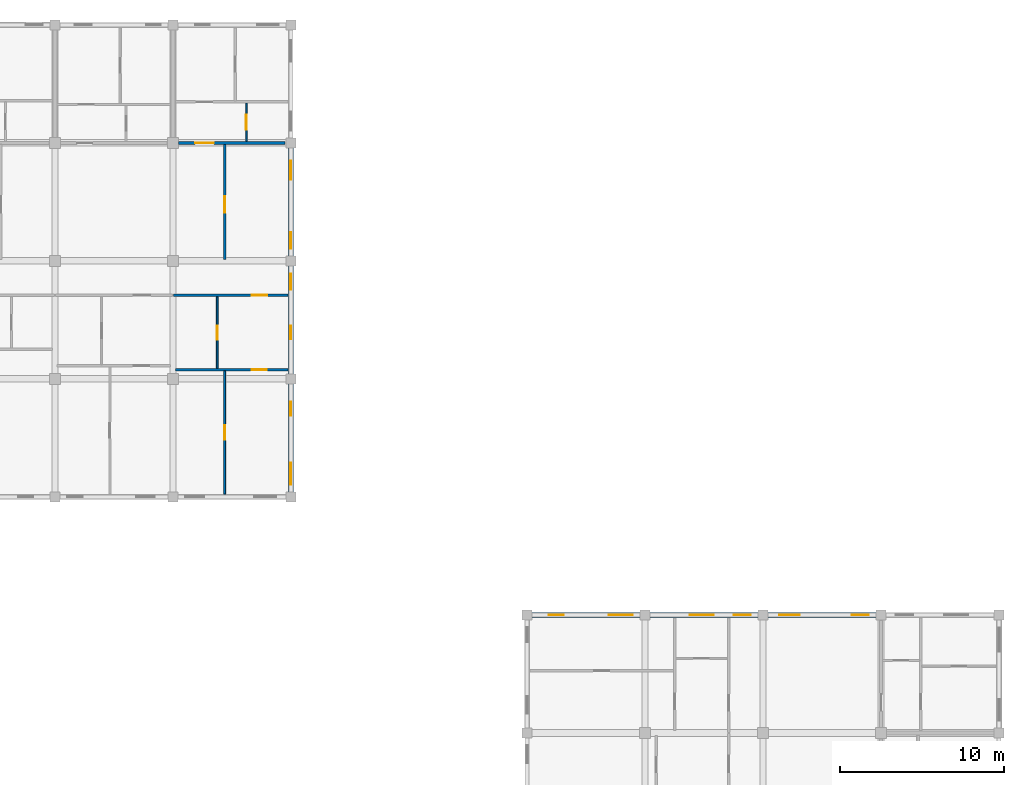
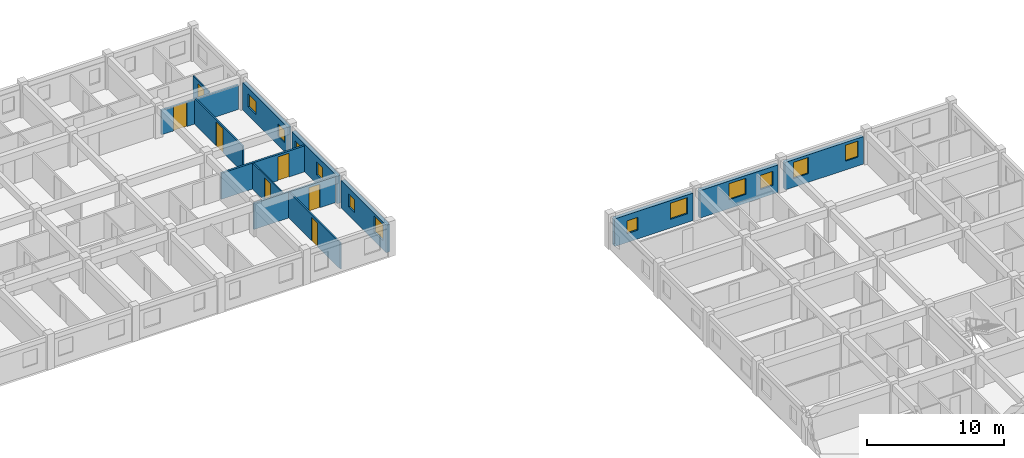
# One storey, part 40 of 50: 13 walls, 12 windows, 7 doors, 19 openings.
"""IFC4 building model written with IfcOpenShell, lengths in metres."""

from ifc_helpers import new_model, si_unit, direction, frame, frame_2d, origin, place, context, subcontext, project, spatial, rectangle, extrude, material, layer, layer_set, type_object, element, fill, save


model = new_model("IFC4")

# Units and contexts
model_context = context("Model", 3, precision=1e-05, world=origin(), true_north=direction((0.0, 1.0)))
body_context = subcontext(model_context, "Body", "Model", "MODEL_VIEW")
ifc_project = project(units=[si_unit("LENGTHUNIT", "METRE"), si_unit("AREAUNIT", "SQUARE_METRE"), si_unit("VOLUMEUNIT", "CUBIC_METRE"), si_unit("PLANEANGLEUNIT", "RADIAN"), si_unit("MASSUNIT", "GRAM", prefix="KILO"), si_unit("THERMODYNAMICTEMPERATUREUNIT", "KELVIN"), si_unit("POWERUNIT", "WATT")], contexts=[model_context])

# Site, building, storey
site_placement = place(None, origin())
site = spatial("IfcSite", under=ifc_project, at=site_placement, CompositionType="ELEMENT")
building_placement = place(site_placement, origin())
building = spatial("IfcBuilding", under=site, at=building_placement, Name="Tavuni Mirador Residences", CompositionType="ELEMENT")
storey_placement = place(building_placement, frame((0.0, 0.0, 4.5)))
storey = spatial("IfcBuildingStorey", under=building, at=storey_placement, Name="L01", CompositionType="ELEMENT", Elevation=4.5)

# Wall, opening, door
ifc_material_1 = material(Name="Precast concrete C40/50", Category="concrete")
ifc_layer_1 = layer(ifc_material_1, 0.1650390625, Name="Precast concrete C40/50", Category="concrete")
ifc_layer_set_1 = layer_set([ifc_layer_1], Name="Precast concrete C40/50")
wall_type_1 = type_object("IfcWallType", Name="WT-CORR165", PredefinedType="PARTITIONING", material=ifc_layer_set_1)
wall_1_placement = place(storey_placement, frame((68.419921875, 156.300048828125, 0.0), z_axis=(0.0, 0.0, 1.0), x_axis=(1.0, 0.0, 0.0)))
wall_1 = element("IfcWall", 1, at=wall_1_placement, inside=storey, type_object=wall_type_1, Name="CORW-BLK-C-L01-0-08", PredefinedType="PARTITIONING", context=body_context, shape_type="SweptSolid", body=[
    extrude(rectangle(XDim=7.005126953125, YDim=0.1650390625, at=frame_2d((3.50244140625, 0.0))), origin(), (0.0, 0.0, 1.0), 2.320068359375),
])
opening_1_placement = place(wall_1_placement, frame((4.780029296875, 0.0, 0.0)))
opening_1 = element("IfcOpeningElement", 2, at=opening_1_placement, cuts=wall_1, Name="Opening D-19", PredefinedType="OPENING", context=body_context, shape_type="SweptSolid", body=[
    extrude(rectangle(XDim=0.93994140625, YDim=2.1201171875, at=frame_2d((0.469970703125, 1.06005859375))), frame((0.0, 0.092529296875, 0.0), z_axis=(0.0, -1.0, 0.0), x_axis=(1.0, 0.0, 0.0)), (0.0, 0.0, 1.0), 0.18505859375),
])
ifc_material_2 = material(Name="Solid core iroko timber", Category="wood")
door_type_1 = type_object("IfcDoorType", Name="DT-FD60-940", OperationType="NOTDEFINED", PredefinedType="DOOR", material=ifc_material_2)
door_1_placement = place(opening_1_placement, origin())
door_1 = element("IfcDoor", 3, at=door_1_placement, inside=storey, type_object=door_type_1, Name="DR-2635", OperationType="SINGLE_SWING_RIGHT", OverallHeight=2.1201171875, OverallWidth=0.93994140625, PredefinedType="DOOR", context=body_context, shape_type="SweptSolid", body=[
    extrude(rectangle(XDim=0.93994140625, YDim=2.1201171875, at=frame_2d((0.469970703125, 1.06005859375))), frame((0.0, 0.02490234375, 0.0), z_axis=(0.0, -1.0, 0.0), x_axis=(1.0, 0.0, 0.0)), (0.0, 0.0, 1.0), 0.050048828125),
])
fill(opening_1, door_1)

wall_2_placement = place(storey_placement, frame((68.75, 165.60009765625, 0.0), z_axis=(0.0, 0.0, 1.0), x_axis=(1.0, 0.0, 0.0)))
wall_2 = element("IfcWall", 4, at=wall_2_placement, inside=storey, type_object=wall_type_1, Name="CORW-BLK-C-L01-1-08", PredefinedType="PARTITIONING", context=body_context, shape_type="SweptSolid", body=[
    extrude(rectangle(XDim=6.5, YDim=0.1650390625, at=frame_2d((3.25, 0.0))), origin(), (0.0, 0.0, 1.0), 2.18505859375),
])
opening_2_placement = place(wall_2_placement, frame((1.0, 0.0, 0.0)))
opening_2 = element("IfcOpeningElement", 5, at=opening_2_placement, cuts=wall_2, Name="Opening D-20", PredefinedType="OPENING", context=body_context, shape_type="SweptSolid", body=[
    extrude(rectangle(XDim=1.139892578125, YDim=2.179931640625, at=frame_2d((0.56982421875, 1.08984375))), frame((0.0, 0.092529296875, 0.0), z_axis=(0.0, -1.0, 0.0), x_axis=(1.0, 0.0, 0.0)), (0.0, 0.0, 1.0), 0.18505859375),
])
door_type_2 = type_object("IfcDoorType", Name="DT-FD60-1140", OperationType="NOTDEFINED", PredefinedType="DOOR", material=ifc_material_2)
door_2_placement = place(opening_2_placement, origin())
door_2 = element("IfcDoor", 6, at=door_2_placement, inside=storey, type_object=door_type_2, Name="DR-2642", OperationType="SINGLE_SWING_LEFT", OverallHeight=2.179931640625, OverallWidth=1.139892578125, PredefinedType="DOOR", context=body_context, shape_type="SweptSolid", body=[
    extrude(rectangle(XDim=1.139892578125, YDim=2.179931640625, at=frame_2d((0.56982421875, 1.08984375))), frame((0.0, 0.02490234375, 0.0), z_axis=(0.0, -1.0, 0.0), x_axis=(1.0, 0.0, 0.0)), (0.0, 0.0, 1.0), 0.050048828125),
])
fill(opening_2, door_2)

# Wall, openings, windows
ifc_material_3 = material(Name="Sgraffito lime-rendered precast concrete C40/50", Category="concrete")
ifc_layer_2 = layer(ifc_material_3, 0.2900390625, Name="Sgraffito lime-rendered precast concrete C40/50", Category="concrete")
ifc_layer_set_2 = layer_set([ifc_layer_2], Name="Sgraffito lime-rendered precast concrete C40/50")
wall_type_2 = type_object("IfcWallType", Name="WT-EXT-PC290", PredefinedType="SOLIDWALL", material=ifc_layer_set_2)
wall_3_placement = place(storey_placement, frame((75.60009765625, 158.699951171875, 0.0), z_axis=(0.0, 0.0, 1.0), x_axis=(0.0, 1.0, 0.0)))
wall_3 = element("IfcWall", 7, at=wall_3_placement, inside=storey, type_object=wall_type_2, Name="EW-BLK-C-L01-E02", PredefinedType="SOLIDWALL", context=body_context, shape_type="SweptSolid", body=[
    extrude(rectangle(XDim=6.60009765625, YDim=0.2900390625, at=frame_2d((3.300048828125, 0.0))), origin(), (0.0, 0.0, 1.0), 2.455078125),
])
opening_3_placement = place(wall_3_placement, frame((0.449951171875, 0.0, 0.780029296875)))
opening_3 = element("IfcOpeningElement", 8, at=opening_3_placement, cuts=wall_3, Name="Opening WN-03", PredefinedType="OPENING", context=body_context, shape_type="SweptSolid", body=[
    extrude(rectangle(XDim=1.0, YDim=1.14990234375, at=frame_2d((0.5, 0.574951171875))), frame((0.0, 0.155029296875, 0.0), z_axis=(0.0, -1.0, 0.0), x_axis=(1.0, 0.0, 0.0)), (0.0, 0.0, 1.0), 0.31005859375),
])
opening_4_placement = place(wall_3_placement, frame((4.64990234375, 0.0, 0.780029296875)))
opening_4 = element("IfcOpeningElement", 9, at=opening_4_placement, cuts=wall_3, Name="Opening WN-05", PredefinedType="OPENING", context=body_context, shape_type="SweptSolid", body=[
    extrude(rectangle(XDim=1.159912109375, YDim=1.14990234375, at=frame_2d((0.580078125, 0.574951171875))), frame((0.0, 0.155029296875, 0.0), z_axis=(0.0, -1.0, 0.0), x_axis=(1.0, 0.0, 0.0)), (0.0, 0.0, 1.0), 0.31005859375),
])
ifc_material_4 = material(Name="Laminated solar-control glass", Category="glass")
window_type_1 = type_object("IfcWindowType", Name="WNT-03", PartitioningType="SINGLE_PANEL", PredefinedType="WINDOW", material=ifc_material_4)
window_1_placement = place(opening_3_placement, origin())
window_1 = element("IfcWindow", 10, at=window_1_placement, inside=storey, type_object=window_type_1, Name="WIN-0871", OverallHeight=1.14990234375, OverallWidth=1.0, PartitioningType="SINGLE_PANEL", PredefinedType="WINDOW", context=body_context, shape_type="SweptSolid", body=[
    extrude(rectangle(XDim=1.0, YDim=1.14990234375, at=frame_2d((0.5, 0.574951171875))), frame((0.0, 0.030029296875, 0.0), z_axis=(0.0, -1.0, 0.0), x_axis=(1.0, 0.0, 0.0)), (0.0, 0.0, 1.0), 0.06005859375),
])
fill(opening_3, window_1)
window_type_2 = type_object("IfcWindowType", Name="WNT-05", PartitioningType="SINGLE_PANEL", PredefinedType="WINDOW", material=ifc_material_4)
window_2_placement = place(opening_4_placement, origin())
window_2 = element("IfcWindow", 11, at=window_2_placement, inside=storey, type_object=window_type_2, Name="WIN-0872", OverallHeight=1.14990234375, OverallWidth=1.159912109375, PartitioningType="SINGLE_PANEL", PredefinedType="WINDOW", context=body_context, shape_type="SweptSolid", body=[
    extrude(rectangle(XDim=1.159912109375, YDim=1.14990234375, at=frame_2d((0.580078125, 0.574951171875))), frame((0.0, 0.030029296875, 0.0), z_axis=(0.0, -1.0, 0.0), x_axis=(1.0, 0.0, 0.0)), (0.0, 0.0, 1.0), 0.06005859375),
])
fill(opening_4, window_2)

wall_4_placement = place(storey_placement, frame((111.300048828125, 136.800048828125, 0.0), z_axis=(0.0, 0.0, 1.0), x_axis=(-1.0, 0.0, 0.0)))
wall_4 = element("IfcWall", 12, at=wall_4_placement, inside=storey, type_object=wall_type_2, Name="EW-BLK-D-L01-N02", PredefinedType="SOLIDWALL", context=body_context, shape_type="SweptSolid", body=[
    extrude(rectangle(XDim=6.60009765625, YDim=0.2900390625, at=frame_2d((3.300048828125, 0.0))), origin(), (0.0, 0.0, 1.0), 2.4599609375),
])
opening_5_placement = place(wall_4_placement, frame((0.449951171875, 0.0, 0.780029296875)))
opening_5 = element("IfcOpeningElement", 13, at=opening_5_placement, cuts=wall_4, Name="Opening WN-26", PredefinedType="OPENING", context=body_context, shape_type="SweptSolid", body=[
    extrude(rectangle(XDim=1.050048828125, YDim=1.43994140625, at=frame_2d((0.52490234375, 0.719970703125))), frame((0.0, 0.155029296875, 0.0), z_axis=(0.0, -1.0, 0.0), x_axis=(1.0, 0.0, 0.0)), (0.0, 0.0, 1.0), 0.31005859375),
])
opening_6_placement = place(wall_4_placement, frame((4.64990234375, 0.0, 0.780029296875)))
opening_6 = element("IfcOpeningElement", 14, at=opening_6_placement, cuts=wall_4, Name="Opening WN-28", PredefinedType="OPENING", context=body_context, shape_type="SweptSolid", body=[
    extrude(rectangle(XDim=1.25, YDim=1.43994140625, at=frame_2d((0.625, 0.719970703125))), frame((0.0, 0.155029296875, 0.0), z_axis=(0.0, -1.0, 0.0), x_axis=(1.0, 0.0, 0.0)), (0.0, 0.0, 1.0), 0.31005859375),
])
window_type_3 = type_object("IfcWindowType", Name="WNT-26", PartitioningType="SINGLE_PANEL", PredefinedType="WINDOW", material=ifc_material_4)
window_3_placement = place(opening_5_placement, origin())
window_3 = element("IfcWindow", 15, at=window_3_placement, inside=storey, type_object=window_type_3, Name="WIN-1464", OverallHeight=1.43994140625, OverallWidth=1.050048828125, PartitioningType="SINGLE_PANEL", PredefinedType="WINDOW", context=body_context, shape_type="SweptSolid", body=[
    extrude(rectangle(XDim=1.050048828125, YDim=1.43994140625, at=frame_2d((0.52490234375, 0.719970703125))), frame((0.0, 0.030029296875, 0.0), z_axis=(0.0, -1.0, 0.0), x_axis=(1.0, 0.0, 0.0)), (0.0, 0.0, 1.0), 0.06005859375),
])
fill(opening_5, window_3)
window_type_4 = type_object("IfcWindowType", Name="WNT-28", PartitioningType="SINGLE_PANEL", PredefinedType="WINDOW", material=ifc_material_4)
window_4_placement = place(opening_6_placement, origin())
window_4 = element("IfcWindow", 16, at=window_4_placement, inside=storey, type_object=window_type_4, Name="WIN-1465", OverallHeight=1.43994140625, OverallWidth=1.25, PartitioningType="SINGLE_PANEL", PredefinedType="WINDOW", context=body_context, shape_type="SweptSolid", body=[
    extrude(rectangle(XDim=1.25, YDim=1.43994140625, at=frame_2d((0.625, 0.719970703125))), frame((0.0, 0.030029296875, 0.0), z_axis=(0.0, -1.0, 0.0), x_axis=(1.0, 0.0, 0.0)), (0.0, 0.0, 1.0), 0.06005859375),
])
fill(opening_6, window_4)

ifc_layer_3 = layer(ifc_material_3, 0.304931640625, Name="Sgraffito lime-rendered precast concrete C40/50", Category="concrete")
ifc_layer_set_3 = layer_set([ifc_layer_3], Name="Sgraffito lime-rendered precast concrete C40/50")
wall_type_3 = type_object("IfcWallType", Name="WT-EXT-PC305", PredefinedType="SOLIDWALL", material=ifc_layer_set_3)
wall_5_placement = place(storey_placement, frame((75.60009765625, 151.5, 0.0), z_axis=(0.0, 0.0, 1.0), x_axis=(0.0, 1.0, 0.0)))
wall_5 = element("IfcWall", 17, at=wall_5_placement, inside=storey, type_object=wall_type_3, Name="EW-BLK-C-L01-E01", PredefinedType="SOLIDWALL", context=body_context, shape_type="SweptSolid", body=[
    extrude(rectangle(XDim=6.60009765625, YDim=0.304931640625, at=frame_2d((3.300048828125, 0.0))), origin(), (0.0, 0.0, 1.0), 2.455078125),
])
opening_7_placement = place(wall_5_placement, frame((2.110107421875, 0.0, 0.780029296875)))
opening_7 = element("IfcOpeningElement", 18, at=opening_7_placement, cuts=wall_5, Name="Opening WN-01", PredefinedType="OPENING", context=body_context, shape_type="SweptSolid", body=[
    extrude(rectangle(XDim=0.85009765625, YDim=1.14990234375, at=frame_2d((0.425048828125, 0.574951171875))), frame((0.0, 0.16259765625, 0.0), z_axis=(0.0, -1.0, 0.0), x_axis=(1.0, 0.0, 0.0)), (0.0, 0.0, 1.0), 0.324951171875),
])
opening_8_placement = place(wall_5_placement, frame((5.1298828125, 0.0, 0.780029296875)))
opening_8 = element("IfcOpeningElement", 19, at=opening_8_placement, cuts=wall_5, Name="Opening WN-03", PredefinedType="OPENING", context=body_context, shape_type="SweptSolid", body=[
    extrude(rectangle(XDim=1.0, YDim=1.14990234375, at=frame_2d((0.5, 0.574951171875))), frame((0.0, 0.16259765625, 0.0), z_axis=(0.0, -1.0, 0.0), x_axis=(1.0, 0.0, 0.0)), (0.0, 0.0, 1.0), 0.324951171875),
])
window_type_5 = type_object("IfcWindowType", Name="WNT-01", PartitioningType="SINGLE_PANEL", PredefinedType="WINDOW", material=ifc_material_4)
window_5_placement = place(opening_7_placement, origin())
window_5 = element("IfcWindow", 20, at=window_5_placement, inside=storey, type_object=window_type_5, Name="WIN-0869", OverallHeight=1.14990234375, OverallWidth=0.85009765625, PartitioningType="SINGLE_PANEL", PredefinedType="WINDOW", context=body_context, shape_type="SweptSolid", body=[
    extrude(rectangle(XDim=0.85009765625, YDim=1.14990234375, at=frame_2d((0.425048828125, 0.574951171875))), frame((0.0, 0.030029296875, 0.0), z_axis=(0.0, -1.0, 0.0), x_axis=(1.0, 0.0, 0.0)), (0.0, 0.0, 1.0), 0.06005859375),
])
fill(opening_7, window_5)
window_6_placement = place(opening_8_placement, origin())
window_6 = element("IfcWindow", 21, at=window_6_placement, inside=storey, type_object=window_type_1, Name="WIN-0870", OverallHeight=1.14990234375, OverallWidth=1.0, PartitioningType="SINGLE_PANEL", PredefinedType="WINDOW", context=body_context, shape_type="SweptSolid", body=[
    extrude(rectangle(XDim=1.0, YDim=1.14990234375, at=frame_2d((0.5, 0.574951171875))), frame((0.0, 0.030029296875, 0.0), z_axis=(0.0, -1.0, 0.0), x_axis=(1.0, 0.0, 0.0)), (0.0, 0.0, 1.0), 0.06005859375),
])
fill(opening_8, window_6)

wall_6_placement = place(storey_placement, frame((104.10009765625, 136.800048828125, 0.0), z_axis=(0.0, 0.0, 1.0), x_axis=(-1.0, 0.0, 0.0)))
wall_6 = element("IfcWall", 22, at=wall_6_placement, inside=storey, type_object=wall_type_3, Name="EW-BLK-D-L01-N01", PredefinedType="SOLIDWALL", context=body_context, shape_type="SweptSolid", body=[
    extrude(rectangle(XDim=6.60009765625, YDim=0.304931640625, at=frame_2d((3.300048828125, 0.0))), origin(), (0.0, 0.0, 1.0), 2.4599609375),
])
opening_9_placement = place(wall_6_placement, frame((0.449951171875, 0.0, 0.780029296875)))
opening_9 = element("IfcOpeningElement", 23, at=opening_9_placement, cuts=wall_6, Name="Opening WN-11", PredefinedType="OPENING", context=body_context, shape_type="SweptSolid", body=[
    extrude(rectangle(XDim=1.0400390625, YDim=1.260009765625, at=frame_2d((0.52001953125, 0.6298828125))), frame((0.0, 0.16259765625, 0.0), z_axis=(0.0, -1.0, 0.0), x_axis=(1.0, 0.0, 0.0)), (0.0, 0.0, 1.0), 0.324951171875),
])
opening_10_placement = place(wall_6_placement, frame((2.715087890625, 0.0, 0.780029296875)))
opening_10 = element("IfcOpeningElement", 24, at=opening_10_placement, cuts=wall_6, Name="Opening WN-30", PredefinedType="OPENING", context=body_context, shape_type="SweptSolid", body=[
    extrude(rectangle(XDim=1.449951171875, YDim=1.43994140625, at=frame_2d((0.72509765625, 0.719970703125))), frame((0.0, 0.16259765625, 0.0), z_axis=(0.0, -1.0, 0.0), x_axis=(1.0, 0.0, 0.0)), (0.0, 0.0, 1.0), 0.324951171875),
])
window_type_6 = type_object("IfcWindowType", Name="WNT-11", PartitioningType="SINGLE_PANEL", PredefinedType="WINDOW", material=ifc_material_4)
window_7_placement = place(opening_9_placement, origin())
window_7 = element("IfcWindow", 25, at=window_7_placement, inside=storey, type_object=window_type_6, Name="WIN-1466", OverallHeight=1.260009765625, OverallWidth=1.0400390625, PartitioningType="SINGLE_PANEL", PredefinedType="WINDOW", context=body_context, shape_type="SweptSolid", body=[
    extrude(rectangle(XDim=1.0400390625, YDim=1.260009765625, at=frame_2d((0.52001953125, 0.6298828125))), frame((0.0, 0.030029296875, 0.0), z_axis=(0.0, -1.0, 0.0), x_axis=(1.0, 0.0, 0.0)), (0.0, 0.0, 1.0), 0.06005859375),
])
fill(opening_9, window_7)
window_type_7 = type_object("IfcWindowType", Name="WNT-30", PartitioningType="SINGLE_PANEL", PredefinedType="WINDOW", material=ifc_material_4)
window_8_placement = place(opening_10_placement, origin())
window_8 = element("IfcWindow", 26, at=window_8_placement, inside=storey, type_object=window_type_7, Name="WIN-1467", OverallHeight=1.43994140625, OverallWidth=1.449951171875, PartitioningType="SINGLE_PANEL", PredefinedType="WINDOW", context=body_context, shape_type="SweptSolid", body=[
    extrude(rectangle(XDim=1.449951171875, YDim=1.43994140625, at=frame_2d((0.72509765625, 0.719970703125))), frame((0.0, 0.030029296875, 0.0), z_axis=(0.0, -1.0, 0.0), x_axis=(1.0, 0.0, 0.0)), (0.0, 0.0, 1.0), 0.06005859375),
])
fill(opening_10, window_8)

ifc_layer_4 = layer(ifc_material_3, 0.31494140625, Name="Sgraffito lime-rendered precast concrete C40/50", Category="concrete")
ifc_layer_set_4 = layer_set([ifc_layer_4], Name="Sgraffito lime-rendered precast concrete C40/50")
wall_type_4 = type_object("IfcWallType", Name="WT-EXT-PC315", PredefinedType="SOLIDWALL", material=ifc_layer_set_4)
wall_7_placement = place(storey_placement, frame((75.60009765625, 144.300048828125, 0.0), z_axis=(0.0, 0.0, 1.0), x_axis=(0.0, 1.0, 0.0)))
wall_7 = element("IfcWall", 27, at=wall_7_placement, inside=storey, type_object=wall_type_4, Name="EW-BLK-C-L01-E00", PredefinedType="SOLIDWALL", context=body_context, shape_type="SweptSolid", body=[
    extrude(rectangle(XDim=6.599853515625, YDim=0.31494140625, at=frame_2d((3.2998046875, 0.0))), origin(), (0.0, 0.0, 1.0), 2.455078125),
])
opening_11_placement = place(wall_7_placement, frame((0.449951171875, 0.0, 0.780029296875)))
opening_11 = element("IfcOpeningElement", 28, at=opening_11_placement, cuts=wall_7, Name="Opening WN-29", PredefinedType="OPENING", context=body_context, shape_type="SweptSolid", body=[
    extrude(rectangle(XDim=1.35009765625, YDim=1.43994140625, at=frame_2d((0.675048828125, 0.719970703125))), frame((0.0, 0.16748046875, 0.0), z_axis=(0.0, -1.0, 0.0), x_axis=(1.0, 0.0, 0.0)), (0.0, 0.0, 1.0), 0.3349609375),
])
opening_12_placement = place(wall_7_placement, frame((4.64990234375, 0.0, 0.780029296875)))
opening_12 = element("IfcOpeningElement", 29, at=opening_12_placement, cuts=wall_7, Name="Opening WN-01", PredefinedType="OPENING", context=body_context, shape_type="SweptSolid", body=[
    extrude(rectangle(XDim=0.85009765625, YDim=1.14990234375, at=frame_2d((0.425048828125, 0.574951171875))), frame((0.0, 0.16748046875, 0.0), z_axis=(0.0, -1.0, 0.0), x_axis=(1.0, 0.0, 0.0)), (0.0, 0.0, 1.0), 0.3349609375),
])
window_9_placement = place(opening_12_placement, origin())
window_9 = element("IfcWindow", 30, at=window_9_placement, inside=storey, type_object=window_type_5, Name="WIN-0868", OverallHeight=1.14990234375, OverallWidth=0.85009765625, PartitioningType="SINGLE_PANEL", PredefinedType="WINDOW", context=body_context, shape_type="SweptSolid", body=[
    extrude(rectangle(XDim=0.85009765625, YDim=1.14990234375, at=frame_2d((0.425048828125, 0.574951171875))), frame((0.0, 0.030029296875, 0.0), z_axis=(0.0, -1.0, 0.0), x_axis=(1.0, 0.0, 0.0)), (0.0, 0.0, 1.0), 0.06005859375),
])
fill(opening_12, window_9)
window_type_8 = type_object("IfcWindowType", Name="WNT-29", PartitioningType="SINGLE_PANEL", PredefinedType="WINDOW", material=ifc_material_4)
window_10_placement = place(opening_11_placement, origin())
window_10 = element("IfcWindow", 31, at=window_10_placement, inside=storey, type_object=window_type_8, Name="WIN-0867", OverallHeight=1.43994140625, OverallWidth=1.35009765625, PartitioningType="SINGLE_PANEL", PredefinedType="WINDOW", context=body_context, shape_type="SweptSolid", body=[
    extrude(rectangle(XDim=1.35009765625, YDim=1.43994140625, at=frame_2d((0.675048828125, 0.719970703125))), frame((0.0, 0.030029296875, 0.0), z_axis=(0.0, -1.0, 0.0), x_axis=(1.0, 0.0, 0.0)), (0.0, 0.0, 1.0), 0.06005859375),
])
fill(opening_11, window_10)

wall_8_placement = place(storey_placement, frame((96.89990234375, 136.800048828125, 0.0), z_axis=(0.0, 0.0, 1.0), x_axis=(-1.0, 0.0, 0.0)))
wall_8 = element("IfcWall", 32, at=wall_8_placement, inside=storey, type_object=wall_type_4, Name="EW-BLK-D-L01-N00", PredefinedType="SOLIDWALL", context=body_context, shape_type="SweptSolid", body=[
    extrude(rectangle(XDim=6.599853515625, YDim=0.31494140625, at=frame_2d((3.2998046875, 0.0))), origin(), (0.0, 0.0, 1.0), 2.4599609375),
])
opening_13_placement = place(wall_8_placement, frame((0.449951171875, 0.0, 0.780029296875)))
opening_13 = element("IfcOpeningElement", 33, at=opening_13_placement, cuts=wall_8, Name="Opening WN-30", PredefinedType="OPENING", context=body_context, shape_type="SweptSolid", body=[
    extrude(rectangle(XDim=1.449951171875, YDim=1.43994140625, at=frame_2d((0.72509765625, 0.719970703125))), frame((0.0, 0.16748046875, 0.0), z_axis=(0.0, -1.0, 0.0), x_axis=(1.0, 0.0, 0.0)), (0.0, 0.0, 1.0), 0.3349609375),
])
opening_14_placement = place(wall_8_placement, frame((4.64990234375, 0.0, 0.780029296875)))
opening_14 = element("IfcOpeningElement", 34, at=opening_14_placement, cuts=wall_8, Name="Opening WN-02", PredefinedType="OPENING", context=body_context, shape_type="SweptSolid", body=[
    extrude(rectangle(XDim=0.919921875, YDim=1.14990234375, at=frame_2d((0.4599609375, 0.574951171875))), frame((0.0, 0.16748046875, 0.0), z_axis=(0.0, -1.0, 0.0), x_axis=(1.0, 0.0, 0.0)), (0.0, 0.0, 1.0), 0.3349609375),
])
window_type_9 = type_object("IfcWindowType", Name="WNT-02", PartitioningType="SINGLE_PANEL", PredefinedType="WINDOW", material=ifc_material_4)
window_11_placement = place(opening_14_placement, origin())
window_11 = element("IfcWindow", 35, at=window_11_placement, inside=storey, type_object=window_type_9, Name="WIN-1469", OverallHeight=1.14990234375, OverallWidth=0.919921875, PartitioningType="SINGLE_PANEL", PredefinedType="WINDOW", context=body_context, shape_type="SweptSolid", body=[
    extrude(rectangle(XDim=0.919921875, YDim=1.14990234375, at=frame_2d((0.4599609375, 0.574951171875))), frame((0.0, 0.030029296875, 0.0), z_axis=(0.0, -1.0, 0.0), x_axis=(1.0, 0.0, 0.0)), (0.0, 0.0, 1.0), 0.06005859375),
])
fill(opening_14, window_11)
window_12_placement = place(opening_13_placement, origin())
window_12 = element("IfcWindow", 36, at=window_12_placement, inside=storey, type_object=window_type_7, Name="WIN-1468", OverallHeight=1.43994140625, OverallWidth=1.449951171875, PartitioningType="SINGLE_PANEL", PredefinedType="WINDOW", context=body_context, shape_type="SweptSolid", body=[
    extrude(rectangle(XDim=1.449951171875, YDim=1.43994140625, at=frame_2d((0.72509765625, 0.719970703125))), frame((0.0, 0.030029296875, 0.0), z_axis=(0.0, -1.0, 0.0), x_axis=(1.0, 0.0, 0.0)), (0.0, 0.0, 1.0), 0.06005859375),
])
fill(opening_13, window_12)

# Wall, opening, door
ifc_material_5 = material(Name="Acoustic gypsum and concrete block partition", Category="concrete")
ifc_layer_5 = layer(ifc_material_5, 0.094970703125, Name="Acoustic gypsum and concrete block partition", Category="concrete")
ifc_layer_set_5 = layer_set([ifc_layer_5], Name="Acoustic gypsum and concrete block partition")
wall_type_5 = type_object("IfcWallType", Name="WT-PART095", PredefinedType="PARTITIONING", material=ifc_layer_set_5)
wall_9_placement = place(storey_placement, frame((72.8798828125, 165.68994140625, 0.0), z_axis=(0.0, 0.0, 1.0), x_axis=(0.0, 1.0, 0.0)))
wall_9 = element("IfcWall", 37, at=wall_9_placement, inside=storey, type_object=wall_type_5, Name="PW-BLK-C-L01-N08-IN1", PredefinedType="PARTITIONING", context=body_context, shape_type="SweptSolid", body=[
    extrude(rectangle(XDim=2.340087890625, YDim=0.094970703125, at=frame_2d((1.169921875, 0.0))), origin(), (0.0, 0.0, 1.0), 2.320068359375),
])
opening_15_placement = place(wall_9_placement, frame((0.719970703125, 0.0, 0.0)))
opening_15 = element("IfcOpeningElement", 38, at=opening_15_placement, cuts=wall_9, Name="Opening D-09", PredefinedType="OPENING", context=body_context, shape_type="SweptSolid", body=[
    extrude(rectangle(XDim=0.89990234375, YDim=2.050048828125, at=frame_2d((0.449951171875, 1.02490234375))), frame((0.0, 0.0576171875, 0.0), z_axis=(0.0, -1.0, 0.0), x_axis=(1.0, 0.0, 0.0)), (0.0, 0.0, 1.0), 0.114990234375),
])
door_type_3 = type_object("IfcDoorType", Name="DT-WC900", OperationType="NOTDEFINED", PredefinedType="DOOR", material=ifc_material_2)
door_3_placement = place(opening_15_placement, origin())
door_3 = element("IfcDoor", 39, at=door_3_placement, inside=storey, type_object=door_type_3, Name="DR-3737", OperationType="SINGLE_SWING_LEFT", OverallHeight=2.050048828125, OverallWidth=0.89990234375, PredefinedType="DOOR", context=body_context, shape_type="SweptSolid", body=[
    extrude(rectangle(XDim=0.89990234375, YDim=2.050048828125, at=frame_2d((0.449951171875, 1.02490234375))), frame((0.0, 0.02490234375, 0.0), z_axis=(0.0, -1.0, 0.0), x_axis=(1.0, 0.0, 0.0)), (0.0, 0.0, 1.0), 0.050048828125),
])
fill(opening_15, door_3)

ifc_layer_6 = layer(ifc_material_5, 0.10498046875, Name="Acoustic gypsum and concrete block partition", Category="concrete")
ifc_layer_set_6 = layer_set([ifc_layer_6], Name="Acoustic gypsum and concrete block partition")
wall_type_6 = type_object("IfcWallType", Name="WT-PART105", PredefinedType="PARTITIONING", material=ifc_layer_set_6)
wall_10_placement = place(storey_placement, frame((71.10009765625, 151.840087890625, 0.0), z_axis=(0.0, 0.0, 1.0), x_axis=(0.0, 1.0, 0.0)))
wall_10 = element("IfcWall", 40, at=wall_10_placement, inside=storey, type_object=wall_type_6, Name="PW-BLK-C-L01-S08-IN1", PredefinedType="PARTITIONING", context=body_context, shape_type="SweptSolid", body=[
    extrude(rectangle(XDim=4.369873046875, YDim=0.10498046875, at=frame_2d((2.18505859375, 0.0))), origin(), (0.0, 0.0, 1.0), 2.320068359375),
])
opening_16_placement = place(wall_10_placement, frame((1.75, 0.0, 0.0)))
opening_16 = element("IfcOpeningElement", 41, at=opening_16_placement, cuts=wall_10, Name="Opening D-10", PredefinedType="OPENING", context=body_context, shape_type="SweptSolid", body=[
    extrude(rectangle(XDim=0.8701171875, YDim=2.050048828125, at=frame_2d((0.43505859375, 1.02490234375))), frame((0.0, 0.0625, 0.0), z_axis=(0.0, -1.0, 0.0), x_axis=(1.0, 0.0, 0.0)), (0.0, 0.0, 1.0), 0.125),
])
door_type_4 = type_object("IfcDoorType", Name="DT-WC870", OperationType="NOTDEFINED", PredefinedType="DOOR", material=ifc_material_2)
door_4_placement = place(opening_16_placement, origin())
door_4 = element("IfcDoor", 42, at=door_4_placement, inside=storey, type_object=door_type_4, Name="DR-3734", OperationType="SINGLE_SWING_RIGHT", OverallHeight=2.050048828125, OverallWidth=0.8701171875, PredefinedType="DOOR", context=body_context, shape_type="SweptSolid", body=[
    extrude(rectangle(XDim=0.8701171875, YDim=2.050048828125, at=frame_2d((0.43505859375, 1.02490234375))), frame((0.0, 0.02490234375, 0.0), z_axis=(0.0, -1.0, 0.0), x_axis=(1.0, 0.0, 0.0)), (0.0, 0.0, 1.0), 0.050048828125),
])
fill(opening_16, door_4)

ifc_layer_7 = layer(ifc_material_5, 0.114990234375, Name="Acoustic gypsum and concrete block partition", Category="concrete")
ifc_layer_set_7 = layer_set([ifc_layer_7], Name="Acoustic gypsum and concrete block partition")
wall_type_7 = type_object("IfcWallType", Name="WT-PART115", PredefinedType="PARTITIONING", material=ifc_layer_set_7)
wall_11_placement = place(storey_placement, frame((71.550048828125, 144.175048828125, 0.0), z_axis=(0.0, 0.0, 1.0), x_axis=(0.0, 1.0, 0.0)))
wall_11 = element("IfcWall", 43, at=wall_11_placement, inside=storey, type_object=wall_type_7, Name="PW-BLK-C-L01-S08-OUT", PredefinedType="PARTITIONING", context=body_context, shape_type="SweptSolid", body=[
    extrude(rectangle(XDim=7.52490234375, YDim=0.114990234375, at=frame_2d((3.762451171875, 0.0))), origin(), (0.0, 0.0, 1.0), 2.320068359375),
])
opening_17_placement = place(wall_11_placement, frame((3.322509765625, 0.0, 0.0)))
opening_17 = element("IfcOpeningElement", 44, at=opening_17_placement, cuts=wall_11, Name="Opening D-08", PredefinedType="OPENING", context=body_context, shape_type="SweptSolid", body=[
    extrude(rectangle(XDim=0.8798828125, YDim=2.080078125, at=frame_2d((0.43994140625, 1.0400390625))), frame((0.0, 0.0673828125, 0.0), z_axis=(0.0, -1.0, 0.0), x_axis=(1.0, 0.0, 0.0)), (0.0, 0.0, 1.0), 0.135009765625),
])
door_type_5 = type_object("IfcDoorType", Name="DT-BED880", OperationType="NOTDEFINED", PredefinedType="DOOR", material=ifc_material_2)
door_5_placement = place(opening_17_placement, origin())
door_5 = element("IfcDoor", 45, at=door_5_placement, inside=storey, type_object=door_type_5, Name="DR-3733", OperationType="SINGLE_SWING_LEFT", OverallHeight=2.080078125, OverallWidth=0.8798828125, PredefinedType="DOOR", context=body_context, shape_type="SweptSolid", body=[
    extrude(rectangle(XDim=0.8798828125, YDim=2.080078125, at=frame_2d((0.43994140625, 1.0400390625))), frame((0.0, 0.02490234375, 0.0), z_axis=(0.0, -1.0, 0.0), x_axis=(1.0, 0.0, 0.0)), (0.0, 0.0, 1.0), 0.050048828125),
])
fill(opening_17, door_5)

ifc_layer_8 = layer(ifc_material_5, 0.125, Name="Acoustic gypsum and concrete block partition", Category="concrete")
ifc_layer_set_8 = layer_set([ifc_layer_8], Name="Acoustic gypsum and concrete block partition")
wall_type_8 = type_object("IfcWallType", Name="WT-PART125", PredefinedType="PARTITIONING", material=ifc_layer_set_8)
wall_12_placement = place(storey_placement, frame((71.56005859375, 158.489990234375, 0.0), z_axis=(0.0, 0.0, 1.0), x_axis=(0.0, 1.0, 0.0)))
wall_12 = element("IfcWall", 46, at=wall_12_placement, inside=storey, type_object=wall_type_8, Name="PW-SPN-BLK-C-L01-08", PredefinedType="PARTITIONING", context=body_context, shape_type="SweptSolid", body=[
    extrude(rectangle(XDim=7.02001953125, YDim=0.125, at=frame_2d((3.510009765625, 0.0))), origin(), (0.0, 0.0, 1.0), 2.320068359375),
])
opening_18_placement = place(wall_12_placement, frame((2.85009765625, 0.0, 0.0)))
opening_18 = element("IfcOpeningElement", 47, at=opening_18_placement, cuts=wall_12, Name="Opening D-13", PredefinedType="OPENING", context=body_context, shape_type="SweptSolid", body=[
    extrude(rectangle(XDim=1.02001953125, YDim=2.14990234375, at=frame_2d((0.510009765625, 1.074951171875))), frame((0.0, 0.072509765625, 0.0), z_axis=(0.0, -1.0, 0.0), x_axis=(1.0, 0.0, 0.0)), (0.0, 0.0, 1.0), 0.14501953125),
])
door_type_6 = type_object("IfcDoorType", Name="DT-MTG1020", OperationType="NOTDEFINED", PredefinedType="DOOR", material=ifc_material_2)
door_6_placement = place(opening_18_placement, origin())
door_6 = element("IfcDoor", 48, at=door_6_placement, inside=storey, type_object=door_type_6, Name="DR-3732", OperationType="SINGLE_SWING_RIGHT", OverallHeight=2.14990234375, OverallWidth=1.02001953125, PredefinedType="DOOR", context=body_context, shape_type="SweptSolid", body=[
    extrude(rectangle(XDim=1.02001953125, YDim=2.14990234375, at=frame_2d((0.510009765625, 1.074951171875))), frame((0.0, 0.02490234375, 0.0), z_axis=(0.0, -1.0, 0.0), x_axis=(1.0, 0.0, 0.0)), (0.0, 0.0, 1.0), 0.050048828125),
])
fill(opening_18, door_6)

ifc_layer_9 = layer(ifc_material_5, 0.139892578125, Name="Acoustic gypsum and concrete block partition", Category="concrete")
ifc_layer_set_9 = layer_set([ifc_layer_9], Name="Acoustic gypsum and concrete block partition")
wall_type_9 = type_object("IfcWallType", Name="WT-PART140", PredefinedType="PARTITIONING", material=ifc_layer_set_9)
wall_13_placement = place(storey_placement, frame((68.5400390625, 151.77001953125, 0.0), z_axis=(0.0, 0.0, 1.0), x_axis=(1.0, 0.0, 0.0)))
wall_13 = element("IfcWall", 49, at=wall_13_placement, inside=storey, type_object=wall_type_9, Name="PW-BLK-C-L01-S08-MID", PredefinedType="PARTITIONING", context=body_context, shape_type="SweptSolid", body=[
    extrude(rectangle(XDim=6.885009765625, YDim=0.139892578125, at=frame_2d((3.4423828125, 0.0))), origin(), (0.0, 0.0, 1.0), 2.320068359375),
])
opening_19_placement = place(wall_13_placement, frame((4.659912109375, 0.0, 0.0)))
opening_19 = element("IfcOpeningElement", 50, at=opening_19_placement, cuts=wall_13, Name="Opening D-06", PredefinedType="OPENING", context=body_context, shape_type="SweptSolid", body=[
    extrude(rectangle(XDim=0.919921875, YDim=2.10009765625, at=frame_2d((0.4599609375, 1.050048828125))), frame((0.0, 0.080078125, 0.0), z_axis=(0.0, -1.0, 0.0), x_axis=(1.0, 0.0, 0.0)), (0.0, 0.0, 1.0), 0.159912109375),
])
door_type_7 = type_object("IfcDoorType", Name="DT-INT920", OperationType="NOTDEFINED", PredefinedType="DOOR", material=ifc_material_2)
door_7_placement = place(opening_19_placement, origin())
door_7 = element("IfcDoor", 51, at=door_7_placement, inside=storey, type_object=door_type_7, Name="DR-3735", OperationType="SINGLE_SWING_RIGHT", OverallHeight=2.10009765625, OverallWidth=0.919921875, PredefinedType="DOOR", context=body_context, shape_type="SweptSolid", body=[
    extrude(rectangle(XDim=0.919921875, YDim=2.10009765625, at=frame_2d((0.4599609375, 1.050048828125))), frame((0.0, 0.02490234375, 0.0), z_axis=(0.0, -1.0, 0.0), x_axis=(1.0, 0.0, 0.0)), (0.0, 0.0, 1.0), 0.050048828125),
])
fill(opening_19, door_7)

save(model, "model.ifc")
